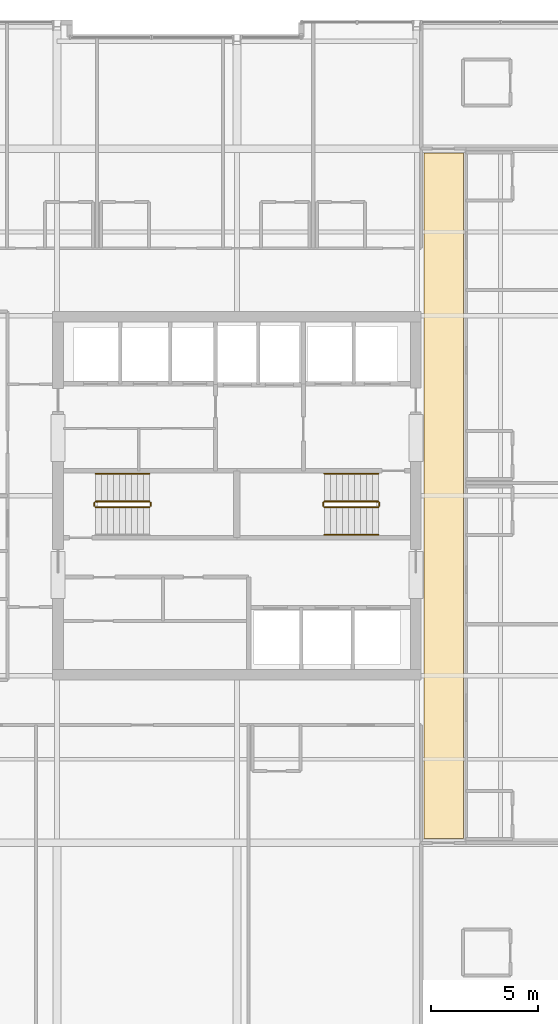
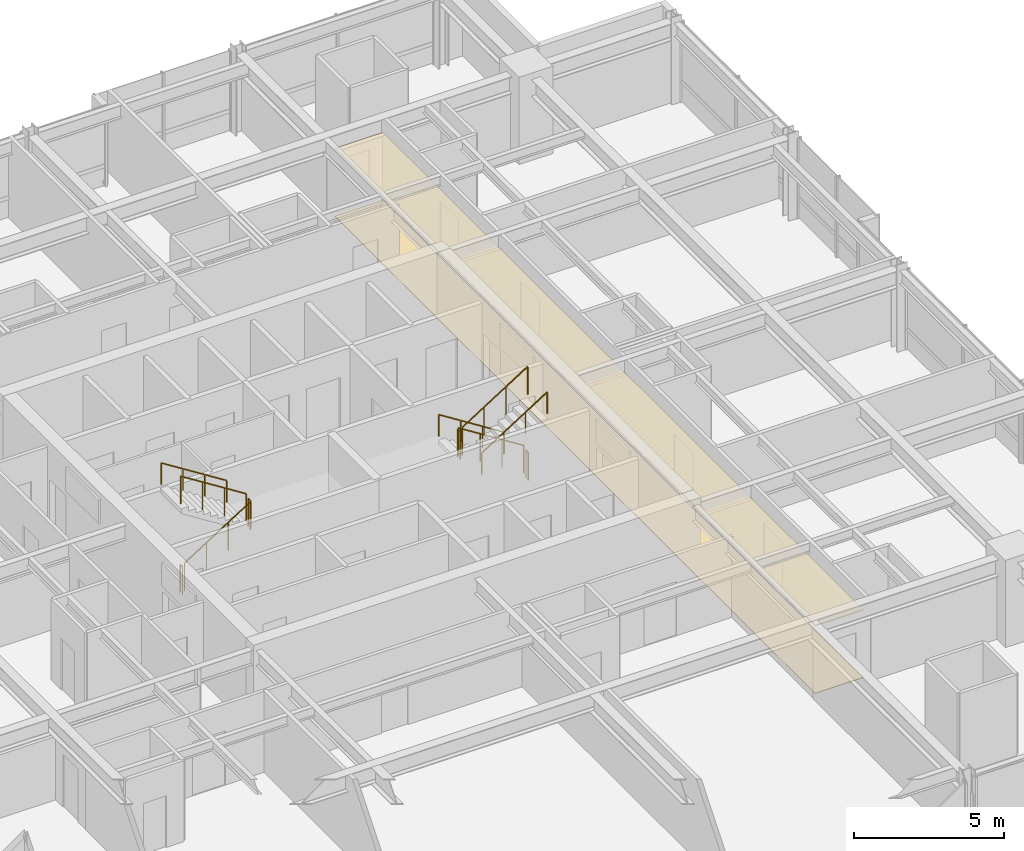
# One storey, part 31 of 32: 11 railings, 2 coverings.
"""IFC4 building model written with IfcOpenShell, lengths in metres."""

import ifcopenshell
import ifcopenshell.guid

model = None  # the IFC model being written
_history = None  # IfcOwnerHistory: only IFC2X3 demands one
_inside = {}  # id of a spatial element -> (the spatial element, [elements in it])
_under = {}  # id of a project, library or spatial element -> (it, [spatial elements below it])
_declared = {}  # id of a project -> (the project, [libraries it declares])
_typed = {}  # id of a type object -> (the type object, [elements of that type])
_made_of = {}  # id of a material, layer set ... -> (it, [elements and type objects made of it])


def new_model(schema):
    """Start an empty IFC model of exactly this schema.

    Asked for "IFC4X3", IfcOpenShell would pick the latest addendum, in which some entities
    have other attributes; the version numbers below select the first issue.
    IFC2X3 requires an IfcOwnerHistory on every rooted entity: one is made here for all.
    """
    global model, _history
    if schema == "IFC4X3":
        model = ifcopenshell.file(schema_version=(4, 3, 0, 0))
    else:
        model = ifcopenshell.file(schema=schema)
    _inside.clear()
    _under.clear()
    _declared.clear()
    _typed.clear()
    _made_of.clear()
    _history = None
    if model.schema == "IFC2X3":
        org = make("IfcOrganization", Name="unknown")
        user = make(
            "IfcPersonAndOrganization",
            ThePerson=make("IfcPerson", FamilyName="unknown"),
            TheOrganization=org,
        )
        app = make(
            "IfcApplication",
            ApplicationDeveloper=org,
            Version="unknown",
            ApplicationFullName="unknown",
            ApplicationIdentifier="unknown",
        )
        _history = make(
            "IfcOwnerHistory",
            OwningUser=user,
            OwningApplication=app,
            ChangeAction="ADDED",
            CreationDate=0,
        )
    return model


def make(cls, **values):
    """One entity of the class cls with the attributes given. An attribute that is None is left unset."""
    return model.create_entity(
        cls, **{name: value for name, value in values.items() if value is not None}
    )


def rooted(cls, **values):
    """An entity with a GlobalId (a new one), such as an element, a storey or a relation."""
    return make(cls, GlobalId=ifcopenshell.guid.new(), OwnerHistory=_history, **values)


def si_unit(unit_type, name, prefix=None):
    """IfcSIUnit, for example si_unit("LENGTHUNIT", "METRE", prefix="MILLI")."""
    return make("IfcSIUnit", UnitType=unit_type, Prefix=prefix, Name=name)


def assignment(units):
    """IfcUnitAssignment: the units of a project."""
    return None if units is None else make("IfcUnitAssignment", Units=units)


def point(xyz):
    """IfcCartesianPoint."""
    return None if xyz is None else make("IfcCartesianPoint", Coordinates=xyz)


def direction(xyz):
    """IfcDirection."""
    return None if xyz is None else make("IfcDirection", DirectionRatios=xyz)


def frame(location, z_axis=None, x_axis=None):
    """IfcAxis2Placement3D, a coordinate frame: its origin and axes. An axis left out is left unset."""
    return make(
        "IfcAxis2Placement3D",
        Location=point(location),
        Axis=direction(z_axis),
        RefDirection=direction(x_axis),
    )


def frame_2d(location, x_axis=None):
    """IfcAxis2Placement2D, a coordinate frame in the plane: its origin and x axis."""
    return make(
        "IfcAxis2Placement2D", Location=point(location), RefDirection=direction(x_axis)
    )


def origin():
    """The frame at (0, 0, 0) with its axes left unset."""
    return frame((0.0, 0.0, 0.0))


def origin_2d():
    """The frame at (0, 0) in the plane with its x axis left unset."""
    return frame_2d((0.0, 0.0))


def place(relative_to, where):
    """IfcLocalPlacement: puts the frame where relative to a parent placement (None: the world)."""
    return make(
        "IfcLocalPlacement", PlacementRelTo=relative_to, RelativePlacement=where
    )


def context(
    kind, dimensions, precision=None, world=None, true_north=None, identifier=None
):
    """IfcGeometricRepresentationContext, for example the 3D "Model" context."""
    return make(
        "IfcGeometricRepresentationContext",
        ContextIdentifier=identifier,
        ContextType=kind,
        CoordinateSpaceDimension=dimensions,
        Precision=precision,
        WorldCoordinateSystem=world,
        TrueNorth=true_north,
    )


def subcontext(parent, identifier, kind, view, scale=None):
    """IfcGeometricRepresentationSubContext, for example "Body" below "Model"."""
    return make(
        "IfcGeometricRepresentationSubContext",
        ContextIdentifier=identifier,
        ContextType=kind,
        ParentContext=parent,
        TargetScale=scale,
        TargetView=view,
    )


def project(units=None, contexts=None):
    """IfcProject with its units and contexts."""
    return rooted(
        "IfcProject",
        Name="project",
        RepresentationContexts=contexts,
        UnitsInContext=assignment(units),
    )


def spatial(cls, under=None, at=None, **own):
    """A site, building, storey or space (cls), placed at a placement, below another one or the project."""
    s = rooted(cls, ObjectPlacement=at, **own)
    if under is not None:
        _under.setdefault(under.id(), (under, []))[1].append(s)
    return s


def polyline(points):
    """IfcPolyline through the points."""
    return make("IfcPolyline", Points=[point(p) for p in points])


def profile(cls, at=None, kind="AREA", **sizes):
    """A parametric profile (cls). Its sizes go by their IFC names, for example OverallWidth=200.0."""
    return make(cls, ProfileType=kind, Position=at, **sizes)


def circle(**sizes):
    """IfcCircleProfileDef."""
    return profile("IfcCircleProfileDef", **sizes)


def outline(outer, holes=None, kind="AREA"):
    """IfcArbitraryClosedProfileDef: a profile drawn as a closed curve; with holes, ...WithVoids."""
    if holes is None:
        return make("IfcArbitraryClosedProfileDef", ProfileType=kind, OuterCurve=outer)
    return make(
        "IfcArbitraryProfileDefWithVoids",
        ProfileType=kind,
        OuterCurve=outer,
        InnerCurves=holes,
    )


def extrude(swept, where, along, depth):
    """IfcExtrudedAreaSolid: the profile swept, set in the frame where, extruded along a direction by depth."""
    return make(
        "IfcExtrudedAreaSolid",
        SweptArea=swept,
        Position=where,
        ExtrudedDirection=direction(along),
        Depth=depth,
    )


def shape(context_of_items, identifier, shape_type, items):
    """IfcShapeRepresentation: the items that make up one representation, for example the "Body"."""
    return make(
        "IfcShapeRepresentation",
        ContextOfItems=context_of_items,
        RepresentationIdentifier=identifier,
        RepresentationType=shape_type,
        Items=items,
    )


def material(Name=None, Category=None):
    """IfcMaterial."""
    return make("IfcMaterial", Name=Name, Category=Category)


def layer(
    of_material, thickness, ventilated=None, Name=None, Category=None, Priority=None
):
    """IfcMaterialLayer: one layer of a wall or slab, of a material (None: an air gap)."""
    return make(
        "IfcMaterialLayer",
        Material=of_material,
        LayerThickness=thickness,
        IsVentilated=ventilated,
        Name=Name,
        Category=Category,
        Priority=Priority,
    )


def layer_set(layers, Name=None):
    """IfcMaterialLayerSet."""
    return make("IfcMaterialLayerSet", MaterialLayers=layers, LayerSetName=Name)


def made_of(thing, what):
    """Note that an element or type object is made of a material, layer set ...; save() writes the relation."""
    if what is not None:
        _made_of.setdefault(what.id(), (what, []))[1].append(thing)
    return thing


def type_object(cls, material=None, **own):
    """A type object (cls), such as IfcWallType, which elements share."""
    return made_of(rooted(cls, **own), material)


def element(
    cls,
    number,
    at=None,
    inside=None,
    cuts=None,
    type_object=None,
    material=None,
    context=None,
    identifier="Body",
    shape_type=None,
    held_by="IfcProductDefinitionShape",
    body=None,
    shapes=None,
    **own,
):
    """One element of the class cls, such as IfcWall. Its Tag is "e" and its number.

    at: its placement. inside: the storey or other place that contains it. cuts: it is an
    opening in that element (IfcRelVoidsElement). A single representation is given by context,
    identifier, shape_type and body (its items); several are given by shapes. held_by: the class
    of the entity that holds the representations. save() writes the other relations.
    """
    e = rooted(cls, Tag="e%d" % number, ObjectPlacement=at, **own)
    if body is not None:
        shapes = [shape(context, identifier, shape_type, body)]
    if shapes is not None:
        e.Representation = make(held_by, Representations=shapes)
    if inside is not None:
        _inside.setdefault(inside.id(), (inside, []))[1].append(e)
    if cuts is not None:
        rooted(
            "IfcRelVoidsElement", RelatingBuildingElement=cuts, RelatedOpeningElement=e
        )
    if type_object is not None:
        _typed.setdefault(type_object.id(), (type_object, []))[1].append(e)
    return made_of(e, material)


def aggregate(whole, parts):
    """IfcRelAggregates: a whole, such as a stair, and the parts it consists of."""
    return rooted("IfcRelAggregates", RelatingObject=whole, RelatedObjects=parts)


def save(model, path):
    """Write the relations noted so far, then the file.

    IfcRelAggregates (storeys below a building ...), IfcRelContainedInSpatialStructure (elements
    in a storey), IfcRelDefinesByType, IfcRelAssociatesMaterial and IfcRelDeclares: one each for
    every whole, place, type object, material and project.
    """
    for whole, parts in _under.values():
        aggregate(whole, parts)
    for where, things in _inside.values():
        rooted(
            "IfcRelContainedInSpatialStructure",
            RelatedElements=things,
            RelatingStructure=where,
        )
    for kind, things in _typed.values():
        rooted("IfcRelDefinesByType", RelatedObjects=things, RelatingType=kind)
    for what, things in _made_of.values():
        rooted("IfcRelAssociatesMaterial", RelatedObjects=things, RelatingMaterial=what)
    for by, libraries in _declared.values():
        rooted("IfcRelDeclares", RelatingContext=by, RelatedDefinitions=libraries)
    model.write(path)


model = new_model("IFC4")

# Units and contexts
model_context = context("Model", 3, precision=1e-05, world=origin(), true_north=direction((0.0, 1.0)))
body_context = subcontext(model_context, "Body", "Model", "MODEL_VIEW")
ifc_project = project(units=[si_unit("LENGTHUNIT", "METRE"), si_unit("AREAUNIT", "SQUARE_METRE"), si_unit("VOLUMEUNIT", "CUBIC_METRE"), si_unit("PLANEANGLEUNIT", "RADIAN"), si_unit("MASSUNIT", "GRAM", prefix="KILO")], contexts=[model_context])

# Site, building, storey
site_placement = place(None, origin())
site = spatial("IfcSite", under=ifc_project, at=site_placement, CompositionType="ELEMENT")
building_placement = place(site_placement, origin())
building = spatial("IfcBuilding", under=site, at=building_placement, Name="Drelvath Grand Hotel", CompositionType="ELEMENT")
storey_placement = place(building_placement, frame((0.0, 0.0, 182.35009765625)))
storey = spatial("IfcBuildingStorey", under=building, at=storey_placement, Name="L47", CompositionType="ELEMENT", Elevation=182.35009765625)

# Railings
ifc_material_1 = material(Name="Painted Steel S275", Category="steel")
railing_type_1 = type_object("IfcRailingType", Name="Core Stair Wall Handrail 900", PredefinedType="HANDRAIL", material=ifc_material_1)
for number, where, name in (
    (1, (-4.080078125, 28.030029296875, 1.952392578125), "L47 ST-1 stair handrail 2"),
    (2, (6.60009765625, 28.030029296875, 0.177490234375), "L47 ST-2 stair handrail 1"),
):
    element("IfcRailing", number, at=place(storey_placement, frame(where)), inside=storey, type_object=railing_type_1, Name=name, PredefinedType="HANDRAIL", context=body_context, shape_type="SweptSolid", body=[
        extrude(circle(Radius=0.02392578125, at=origin_2d()), frame((0.0, 0.0, 0.8759765625), z_axis=(-0.84460694969, 0.0, 0.535386869969), x_axis=(0.0, -1.0, 0.0)), (0.0, 0.0, 1.0), 2.983642578125),
        extrude(circle(Radius=0.02099609375, at=origin_2d()), origin(), (0.0, 0.0, 1.0), 0.851806640625),
        extrude(circle(Radius=0.02099609375, at=origin_2d()), frame((-0.840087890625, 0.0, 0.532470703125)), (0.0, 0.0, 1.0), 0.851806640625),
        extrude(circle(Radius=0.02099609375, at=origin_2d()), frame((-1.679931640625, 0.0, 1.06494140625)), (0.0, 0.0, 1.0), 0.851806640625),
        extrude(circle(Radius=0.02099609375, at=origin_2d()), frame((-2.52001953125, 0.0, 1.597412109375)), (0.0, 0.0, 1.0), 0.851806640625),
    ])
railing_1_placement = place(storey_placement, frame((4.080078125, 25.169921875, 1.952392578125)))
element("IfcRailing", 3, at=railing_1_placement, inside=storey, type_object=railing_type_1, Name="L47 ST-2 stair handrail 2", PredefinedType="HANDRAIL", context=body_context, shape_type="SweptSolid", body=[
    extrude(circle(Radius=0.02392578125, at=origin_2d()), frame((0.0, 0.0, 0.8759765625), z_axis=(0.84460694969, 0.0, 0.535386869969), x_axis=(0.0, 1.0, 0.0)), (0.0, 0.0, 1.0), 2.983642578125),
    extrude(circle(Radius=0.02099609375, at=origin_2d()), origin(), (0.0, 0.0, 1.0), 0.851806640625),
    extrude(circle(Radius=0.02099609375, at=origin_2d()), frame((0.840087890625, 0.0, 0.532470703125)), (0.0, 0.0, 1.0), 0.851806640625),
    extrude(circle(Radius=0.02099609375, at=origin_2d()), frame((1.679931640625, 0.0, 1.06494140625)), (0.0, 0.0, 1.0), 0.851806640625),
    extrude(circle(Radius=0.02099609375, at=origin_2d()), frame((2.52001953125, 0.0, 1.597412109375)), (0.0, 0.0, 1.0), 0.851806640625),
])
railing_type_2 = type_object("IfcRailingType", Name="Core Stair Well Guardrail 1100", PredefinedType="GUARDRAIL", material=ifc_material_1)
railing_2_placement = place(storey_placement, frame((-6.60009765625, 26.469970703125, 0.177490234375)))
element("IfcRailing", 4, at=railing_2_placement, inside=storey, type_object=railing_type_2, Name="L47 ST-1 stair guard 1", PredefinedType="GUARDRAIL", context=body_context, shape_type="SweptSolid", body=[
    extrude(circle(Radius=0.02392578125, at=origin_2d()), frame((0.0, 0.0, 1.1259765625), z_axis=(0.84460694969, 0.0, 0.535386869969), x_axis=(0.0, 1.0, 0.0)), (0.0, 0.0, 1.0), 2.983642578125),
    extrude(circle(Radius=0.02099609375, at=origin_2d()), origin(), (0.0, 0.0, 1.0), 1.101806640625),
    extrude(circle(Radius=0.02099609375, at=origin_2d()), frame((0.840087890625, 0.0, 0.532470703125)), (0.0, 0.0, 1.0), 1.101806640625),
    extrude(circle(Radius=0.02099609375, at=origin_2d()), frame((1.679931640625, 0.0, 1.06494140625)), (0.0, 0.0, 1.0), 1.101806640625),
    extrude(circle(Radius=0.02099609375, at=origin_2d()), frame((2.52001953125, 0.0, 1.597412109375)), (0.0, 0.0, 1.0), 1.101806640625),
])
railing_3_placement = place(storey_placement, frame((-4.030029296875, 26.52001953125, 1.77490234375)))
element("IfcRailing", 5, at=railing_3_placement, inside=storey, type_object=railing_type_2, Name="L47 ST-1 stair guard 2", PredefinedType="GUARDRAIL", context=body_context, shape_type="SweptSolid", body=[
    extrude(circle(Radius=0.02392578125, at=origin_2d()), frame((0.0, 0.0, 1.1259765625), z_axis=(0.0, 1.0, 0.0), x_axis=(-1.0, 0.0, 0.0)), (0.0, 0.0, 1.0), 0.159912109375),
    extrude(circle(Radius=0.02099609375, at=origin_2d()), origin(), (0.0, 0.0, 1.0), 1.101806640625),
    extrude(circle(Radius=0.02099609375, at=origin_2d()), frame((0.0, 0.159912109375, 0.0)), (0.0, 0.0, 1.0), 1.101806640625),
])
railing_4_placement = place(storey_placement, frame((-4.080078125, 26.72998046875, 1.952392578125)))
element("IfcRailing", 6, at=railing_4_placement, inside=storey, type_object=railing_type_2, Name="L47 ST-1 stair guard 3", PredefinedType="GUARDRAIL", context=body_context, shape_type="SweptSolid", body=[
    extrude(circle(Radius=0.02392578125, at=origin_2d()), frame((0.0, 0.0, 1.1259765625), z_axis=(-0.84460694969, 0.0, 0.535386869969), x_axis=(0.0, -1.0, 0.0)), (0.0, 0.0, 1.0), 2.983642578125),
    extrude(circle(Radius=0.02099609375, at=origin_2d()), origin(), (0.0, 0.0, 1.0), 1.101806640625),
    extrude(circle(Radius=0.02099609375, at=origin_2d()), frame((-0.840087890625, 0.0, 0.532470703125)), (0.0, 0.0, 1.0), 1.101806640625),
    extrude(circle(Radius=0.02099609375, at=origin_2d()), frame((-1.679931640625, 0.0, 1.06494140625)), (0.0, 0.0, 1.0), 1.101806640625),
    extrude(circle(Radius=0.02099609375, at=origin_2d()), frame((-2.52001953125, 0.0, 1.597412109375)), (0.0, 0.0, 1.0), 1.101806640625),
])
railing_5_placement = place(storey_placement, frame((-6.64990234375, 26.52001953125, 0.0)))
element("IfcRailing", 7, at=railing_5_placement, inside=storey, type_object=railing_type_2, Name="L47 ST-1 stair guard 4", PredefinedType="GUARDRAIL", context=body_context, shape_type="SweptSolid", body=[
    extrude(circle(Radius=0.02392578125, at=origin_2d()), frame((0.0, 0.0, 1.1259765625), z_axis=(0.0, 1.0, 0.0), x_axis=(-1.0, 0.0, 0.0)), (0.0, 0.0, 1.0), 0.159912109375),
    extrude(circle(Radius=0.02099609375, at=origin_2d()), origin(), (0.0, 0.0, 1.0), 1.101806640625),
    extrude(circle(Radius=0.02099609375, at=origin_2d()), frame((0.0, 0.159912109375, 0.0)), (0.0, 0.0, 1.0), 1.101806640625),
])
railing_6_placement = place(storey_placement, frame((6.60009765625, 26.72998046875, 0.177490234375)))
element("IfcRailing", 8, at=railing_6_placement, inside=storey, type_object=railing_type_2, Name="L47 ST-2 stair guard 1", PredefinedType="GUARDRAIL", context=body_context, shape_type="SweptSolid", body=[
    extrude(circle(Radius=0.02392578125, at=origin_2d()), frame((0.0, 0.0, 1.1259765625), z_axis=(-0.84460694969, 0.0, 0.535386869969), x_axis=(0.0, -1.0, 0.0)), (0.0, 0.0, 1.0), 2.983642578125),
    extrude(circle(Radius=0.02099609375, at=origin_2d()), origin(), (0.0, 0.0, 1.0), 1.101806640625),
    extrude(circle(Radius=0.02099609375, at=origin_2d()), frame((-0.840087890625, 0.0, 0.532470703125)), (0.0, 0.0, 1.0), 1.101806640625),
    extrude(circle(Radius=0.02099609375, at=origin_2d()), frame((-1.679931640625, 0.0, 1.06494140625)), (0.0, 0.0, 1.0), 1.101806640625),
    extrude(circle(Radius=0.02099609375, at=origin_2d()), frame((-2.52001953125, 0.0, 1.597412109375)), (0.0, 0.0, 1.0), 1.101806640625),
])
railing_7_placement = place(storey_placement, frame((4.030029296875, 26.679931640625, 1.77490234375)))
element("IfcRailing", 9, at=railing_7_placement, inside=storey, type_object=railing_type_2, Name="L47 ST-2 stair guard 2", PredefinedType="GUARDRAIL", context=body_context, shape_type="SweptSolid", body=[
    extrude(circle(Radius=0.02392578125, at=origin_2d()), frame((0.0, 0.0, 1.1259765625), z_axis=(0.0, -1.0, 0.0), x_axis=(1.0, 0.0, 0.0)), (0.0, 0.0, 1.0), 0.159912109375),
    extrude(circle(Radius=0.02099609375, at=origin_2d()), origin(), (0.0, 0.0, 1.0), 1.101806640625),
    extrude(circle(Radius=0.02099609375, at=origin_2d()), frame((0.0, -0.159912109375, 0.0)), (0.0, 0.0, 1.0), 1.101806640625),
])
railing_8_placement = place(storey_placement, frame((4.080078125, 26.469970703125, 1.952392578125)))
element("IfcRailing", 10, at=railing_8_placement, inside=storey, type_object=railing_type_2, Name="L47 ST-2 stair guard 3", PredefinedType="GUARDRAIL", context=body_context, shape_type="SweptSolid", body=[
    extrude(circle(Radius=0.02392578125, at=origin_2d()), frame((0.0, 0.0, 1.1259765625), z_axis=(0.84460694969, 0.0, 0.535386869969), x_axis=(0.0, 1.0, 0.0)), (0.0, 0.0, 1.0), 2.983642578125),
    extrude(circle(Radius=0.02099609375, at=origin_2d()), origin(), (0.0, 0.0, 1.0), 1.101806640625),
    extrude(circle(Radius=0.02099609375, at=origin_2d()), frame((0.840087890625, 0.0, 0.532470703125)), (0.0, 0.0, 1.0), 1.101806640625),
    extrude(circle(Radius=0.02099609375, at=origin_2d()), frame((1.679931640625, 0.0, 1.06494140625)), (0.0, 0.0, 1.0), 1.101806640625),
    extrude(circle(Radius=0.02099609375, at=origin_2d()), frame((2.52001953125, 0.0, 1.597412109375)), (0.0, 0.0, 1.0), 1.101806640625),
])
railing_9_placement = place(storey_placement, frame((6.64990234375, 26.679931640625, 0.0)))
element("IfcRailing", 11, at=railing_9_placement, inside=storey, type_object=railing_type_2, Name="L47 ST-2 stair guard 4", PredefinedType="GUARDRAIL", context=body_context, shape_type="SweptSolid", body=[
    extrude(circle(Radius=0.02392578125, at=origin_2d()), frame((0.0, 0.0, 1.1259765625), z_axis=(0.0, -1.0, 0.0), x_axis=(1.0, 0.0, 0.0)), (0.0, 0.0, 1.0), 0.159912109375),
    extrude(circle(Radius=0.02099609375, at=origin_2d()), origin(), (0.0, 0.0, 1.0), 1.101806640625),
    extrude(circle(Radius=0.02099609375, at=origin_2d()), frame((0.0, -0.159912109375, 0.0)), (0.0, 0.0, 1.0), 1.101806640625),
])

# Coverings
ifc_material_2 = material(Name="Woven Wool Broadloom Carpet")
ifc_layer_1 = layer(ifc_material_2, 0.01806640625)
ifc_layer_set_1 = layer_set([ifc_layer_1], Name="Woven Wool Broadloom Carpet")
covering_type_1 = type_object("IfcCoveringType", Name="Hospitality Broadloom Carpet 18", PredefinedType="FLOORING", material=ifc_layer_set_1)
covering_1_placement = place(storey_placement, origin())
element("IfcCovering", 12, at=covering_1_placement, inside=storey, type_object=covering_type_1, Name="L47 East Spine Carpet", PredefinedType="FLOORING", context=body_context, shape_type="SweptSolid", body=[
    extrude(outline(polyline([(10.580078125, 11.0), (10.580078125, 43.0), (8.719970703125, 43.0), (8.719970703125, 11.0), (10.580078125, 11.0)])), origin(), (0.0, 0.0, 1.0), 0.017822265625),
])
ifc_material_3 = material(Name="Anodised Aluminium Alloy", Category="aluminium")
ifc_layer_2 = layer(ifc_material_3, 0.0400390625)
ifc_layer_set_2 = layer_set([ifc_layer_2], Name="Anodised Aluminium Alloy")
covering_type_2 = type_object("IfcCoveringType", Name="Perforated Metal Corridor Ceiling 40", PredefinedType="CEILING", material=ifc_layer_set_2)
covering_2_placement = place(storey_placement, frame((0.0, 0.0, 2.739990234375)))
element("IfcCovering", 13, at=covering_2_placement, inside=storey, type_object=covering_type_2, Name="L47 East Spine Ceiling", PredefinedType="CEILING", context=body_context, shape_type="SweptSolid", body=[
    extrude(outline(polyline([(10.580078125, 11.0), (10.580078125, 43.0), (8.719970703125, 43.0), (8.719970703125, 11.0), (10.580078125, 11.0)])), origin(), (0.0, 0.0, 1.0), 0.039794921875),
])

save(model, "model.ifc")
